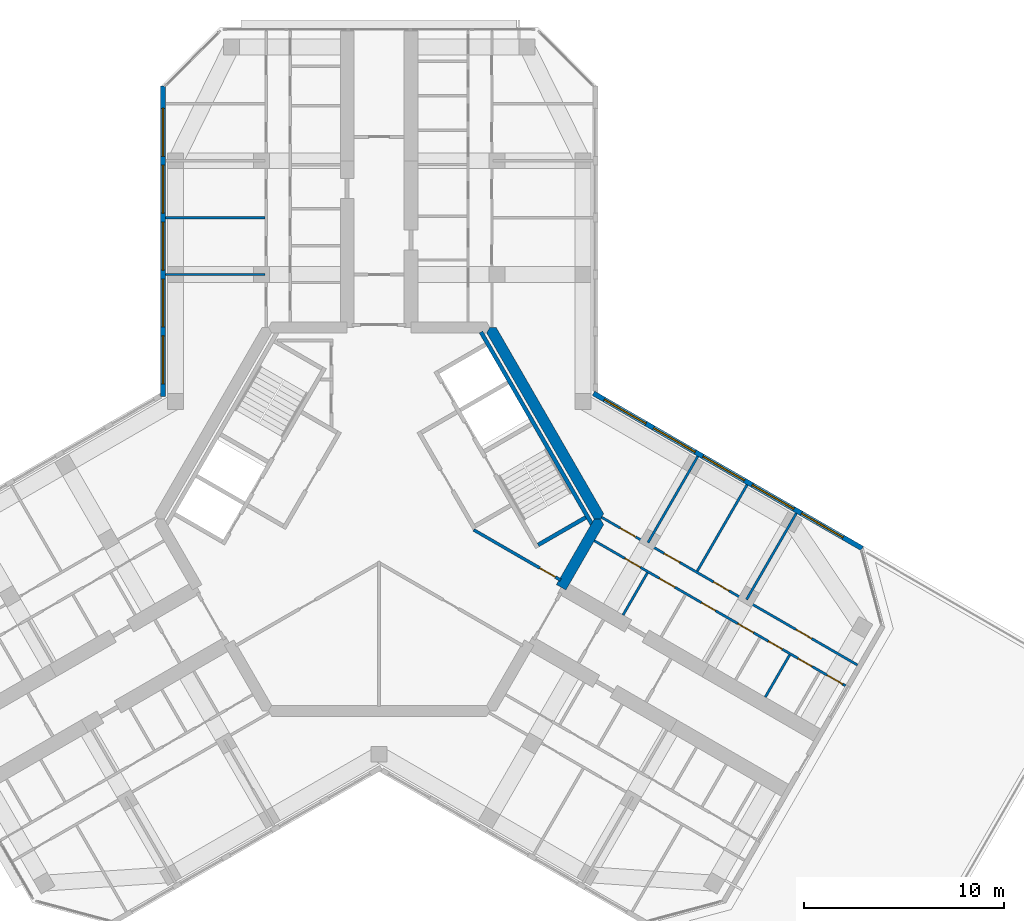
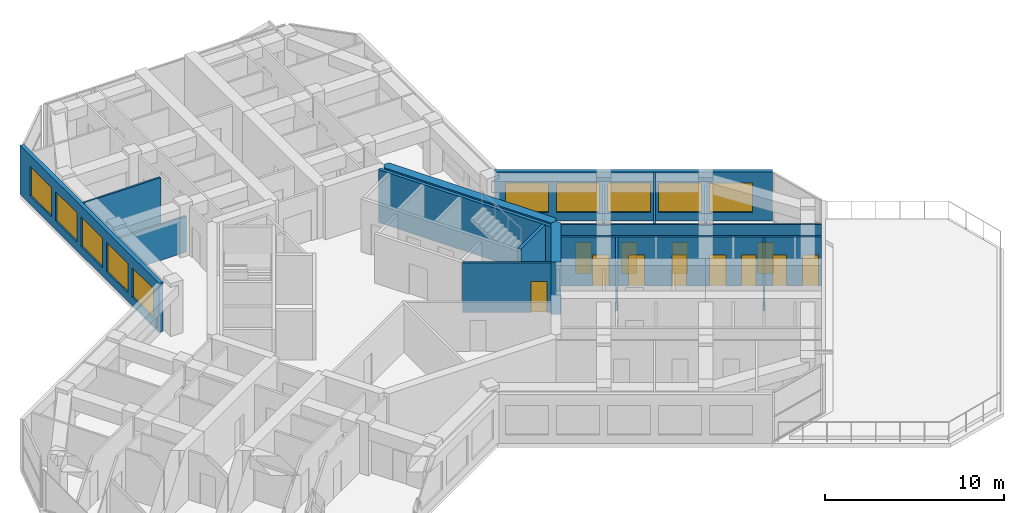
# One storey, part 11 of 14: 16 walls, 12 doors, 10 windows, 22 openings.
"""IFC4 building model written with IfcOpenShell, lengths in metres."""

import ifcopenshell
import ifcopenshell.guid

model = None  # the IFC model being written
_history = None  # IfcOwnerHistory: only IFC2X3 demands one
_inside = {}  # id of a spatial element -> (the spatial element, [elements in it])
_under = {}  # id of a project, library or spatial element -> (it, [spatial elements below it])
_declared = {}  # id of a project -> (the project, [libraries it declares])
_typed = {}  # id of a type object -> (the type object, [elements of that type])
_made_of = {}  # id of a material, layer set ... -> (it, [elements and type objects made of it])


def new_model(schema):
    """Start an empty IFC model of exactly this schema.

    Asked for "IFC4X3", IfcOpenShell would pick the latest addendum, in which some entities
    have other attributes; the version numbers below select the first issue.
    IFC2X3 requires an IfcOwnerHistory on every rooted entity: one is made here for all.
    """
    global model, _history
    if schema == "IFC4X3":
        model = ifcopenshell.file(schema_version=(4, 3, 0, 0))
    else:
        model = ifcopenshell.file(schema=schema)
    _inside.clear()
    _under.clear()
    _declared.clear()
    _typed.clear()
    _made_of.clear()
    _history = None
    if model.schema == "IFC2X3":
        org = make("IfcOrganization", Name="unknown")
        user = make(
            "IfcPersonAndOrganization",
            ThePerson=make("IfcPerson", FamilyName="unknown"),
            TheOrganization=org,
        )
        app = make(
            "IfcApplication",
            ApplicationDeveloper=org,
            Version="unknown",
            ApplicationFullName="unknown",
            ApplicationIdentifier="unknown",
        )
        _history = make(
            "IfcOwnerHistory",
            OwningUser=user,
            OwningApplication=app,
            ChangeAction="ADDED",
            CreationDate=0,
        )
    return model


def make(cls, **values):
    """One entity of the class cls with the attributes given. An attribute that is None is left unset."""
    return model.create_entity(
        cls, **{name: value for name, value in values.items() if value is not None}
    )


def rooted(cls, **values):
    """An entity with a GlobalId (a new one), such as an element, a storey or a relation."""
    return make(cls, GlobalId=ifcopenshell.guid.new(), OwnerHistory=_history, **values)


def si_unit(unit_type, name, prefix=None):
    """IfcSIUnit, for example si_unit("LENGTHUNIT", "METRE", prefix="MILLI")."""
    return make("IfcSIUnit", UnitType=unit_type, Prefix=prefix, Name=name)


def assignment(units):
    """IfcUnitAssignment: the units of a project."""
    return None if units is None else make("IfcUnitAssignment", Units=units)


def point(xyz):
    """IfcCartesianPoint."""
    return None if xyz is None else make("IfcCartesianPoint", Coordinates=xyz)


def direction(xyz):
    """IfcDirection."""
    return None if xyz is None else make("IfcDirection", DirectionRatios=xyz)


def frame(location, z_axis=None, x_axis=None):
    """IfcAxis2Placement3D, a coordinate frame: its origin and axes. An axis left out is left unset."""
    return make(
        "IfcAxis2Placement3D",
        Location=point(location),
        Axis=direction(z_axis),
        RefDirection=direction(x_axis),
    )


def frame_2d(location, x_axis=None):
    """IfcAxis2Placement2D, a coordinate frame in the plane: its origin and x axis."""
    return make(
        "IfcAxis2Placement2D", Location=point(location), RefDirection=direction(x_axis)
    )


def origin():
    """The frame at (0, 0, 0) with its axes left unset."""
    return frame((0.0, 0.0, 0.0))


def place(relative_to, where):
    """IfcLocalPlacement: puts the frame where relative to a parent placement (None: the world)."""
    return make(
        "IfcLocalPlacement", PlacementRelTo=relative_to, RelativePlacement=where
    )


def context(
    kind, dimensions, precision=None, world=None, true_north=None, identifier=None
):
    """IfcGeometricRepresentationContext, for example the 3D "Model" context."""
    return make(
        "IfcGeometricRepresentationContext",
        ContextIdentifier=identifier,
        ContextType=kind,
        CoordinateSpaceDimension=dimensions,
        Precision=precision,
        WorldCoordinateSystem=world,
        TrueNorth=true_north,
    )


def subcontext(parent, identifier, kind, view, scale=None):
    """IfcGeometricRepresentationSubContext, for example "Body" below "Model"."""
    return make(
        "IfcGeometricRepresentationSubContext",
        ContextIdentifier=identifier,
        ContextType=kind,
        ParentContext=parent,
        TargetScale=scale,
        TargetView=view,
    )


def project(units=None, contexts=None):
    """IfcProject with its units and contexts."""
    return rooted(
        "IfcProject",
        Name="project",
        RepresentationContexts=contexts,
        UnitsInContext=assignment(units),
    )


def spatial(cls, under=None, at=None, **own):
    """A site, building, storey or space (cls), placed at a placement, below another one or the project."""
    s = rooted(cls, ObjectPlacement=at, **own)
    if under is not None:
        _under.setdefault(under.id(), (under, []))[1].append(s)
    return s


def polyline(points):
    """IfcPolyline through the points."""
    return make("IfcPolyline", Points=[point(p) for p in points])


def profile(cls, at=None, kind="AREA", **sizes):
    """A parametric profile (cls). Its sizes go by their IFC names, for example OverallWidth=200.0."""
    return make(cls, ProfileType=kind, Position=at, **sizes)


def rectangle(**sizes):
    """IfcRectangleProfileDef."""
    return profile("IfcRectangleProfileDef", **sizes)


def outline(outer, holes=None, kind="AREA"):
    """IfcArbitraryClosedProfileDef: a profile drawn as a closed curve; with holes, ...WithVoids."""
    if holes is None:
        return make("IfcArbitraryClosedProfileDef", ProfileType=kind, OuterCurve=outer)
    return make(
        "IfcArbitraryProfileDefWithVoids",
        ProfileType=kind,
        OuterCurve=outer,
        InnerCurves=holes,
    )


def extrude(swept, where, along, depth):
    """IfcExtrudedAreaSolid: the profile swept, set in the frame where, extruded along a direction by depth."""
    return make(
        "IfcExtrudedAreaSolid",
        SweptArea=swept,
        Position=where,
        ExtrudedDirection=direction(along),
        Depth=depth,
    )


def shape(context_of_items, identifier, shape_type, items):
    """IfcShapeRepresentation: the items that make up one representation, for example the "Body"."""
    return make(
        "IfcShapeRepresentation",
        ContextOfItems=context_of_items,
        RepresentationIdentifier=identifier,
        RepresentationType=shape_type,
        Items=items,
    )


def material(Name=None, Category=None):
    """IfcMaterial."""
    return make("IfcMaterial", Name=Name, Category=Category)


def layer(
    of_material, thickness, ventilated=None, Name=None, Category=None, Priority=None
):
    """IfcMaterialLayer: one layer of a wall or slab, of a material (None: an air gap)."""
    return make(
        "IfcMaterialLayer",
        Material=of_material,
        LayerThickness=thickness,
        IsVentilated=ventilated,
        Name=Name,
        Category=Category,
        Priority=Priority,
    )


def layer_set(layers, Name=None):
    """IfcMaterialLayerSet."""
    return make("IfcMaterialLayerSet", MaterialLayers=layers, LayerSetName=Name)


def made_of(thing, what):
    """Note that an element or type object is made of a material, layer set ...; save() writes the relation."""
    if what is not None:
        _made_of.setdefault(what.id(), (what, []))[1].append(thing)
    return thing


def type_object(cls, material=None, **own):
    """A type object (cls), such as IfcWallType, which elements share."""
    return made_of(rooted(cls, **own), material)


def element(
    cls,
    number,
    at=None,
    inside=None,
    cuts=None,
    type_object=None,
    material=None,
    context=None,
    identifier="Body",
    shape_type=None,
    held_by="IfcProductDefinitionShape",
    body=None,
    shapes=None,
    **own,
):
    """One element of the class cls, such as IfcWall. Its Tag is "e" and its number.

    at: its placement. inside: the storey or other place that contains it. cuts: it is an
    opening in that element (IfcRelVoidsElement). A single representation is given by context,
    identifier, shape_type and body (its items); several are given by shapes. held_by: the class
    of the entity that holds the representations. save() writes the other relations.
    """
    e = rooted(cls, Tag="e%d" % number, ObjectPlacement=at, **own)
    if body is not None:
        shapes = [shape(context, identifier, shape_type, body)]
    if shapes is not None:
        e.Representation = make(held_by, Representations=shapes)
    if inside is not None:
        _inside.setdefault(inside.id(), (inside, []))[1].append(e)
    if cuts is not None:
        rooted(
            "IfcRelVoidsElement", RelatingBuildingElement=cuts, RelatedOpeningElement=e
        )
    if type_object is not None:
        _typed.setdefault(type_object.id(), (type_object, []))[1].append(e)
    return made_of(e, material)


def fill(opening, filler):
    """IfcRelFillsElement: the door or window that sits in an opening."""
    return rooted(
        "IfcRelFillsElement",
        RelatingOpeningElement=opening,
        RelatedBuildingElement=filler,
    )


def aggregate(whole, parts):
    """IfcRelAggregates: a whole, such as a stair, and the parts it consists of."""
    return rooted("IfcRelAggregates", RelatingObject=whole, RelatedObjects=parts)


def save(model, path):
    """Write the relations noted so far, then the file.

    IfcRelAggregates (storeys below a building ...), IfcRelContainedInSpatialStructure (elements
    in a storey), IfcRelDefinesByType, IfcRelAssociatesMaterial and IfcRelDeclares: one each for
    every whole, place, type object, material and project.
    """
    for whole, parts in _under.values():
        aggregate(whole, parts)
    for where, things in _inside.values():
        rooted(
            "IfcRelContainedInSpatialStructure",
            RelatedElements=things,
            RelatingStructure=where,
        )
    for kind, things in _typed.values():
        rooted("IfcRelDefinesByType", RelatedObjects=things, RelatingType=kind)
    for what, things in _made_of.values():
        rooted("IfcRelAssociatesMaterial", RelatedObjects=things, RelatingMaterial=what)
    for by, libraries in _declared.values():
        rooted("IfcRelDeclares", RelatingContext=by, RelatedDefinitions=libraries)
    model.write(path)


model = new_model("IFC4")

# Units and contexts
model_context = context("Model", 3, precision=1e-05, world=origin(), true_north=direction((0.0, 1.0)))
body_context = subcontext(model_context, "Body", "Model", "MODEL_VIEW")
ifc_project = project(units=[si_unit("LENGTHUNIT", "METRE"), si_unit("AREAUNIT", "SQUARE_METRE"), si_unit("VOLUMEUNIT", "CUBIC_METRE"), si_unit("PLANEANGLEUNIT", "RADIAN"), si_unit("MASSUNIT", "GRAM", prefix="KILO")], contexts=[model_context])

# Site, building, storey
site_placement = place(None, origin())
site = spatial("IfcSite", under=ifc_project, at=site_placement, CompositionType="ELEMENT")
building_placement = place(site_placement, origin())
building = spatial("IfcBuilding", under=site, at=building_placement, Name="Kosmar Iwan School Tower", CompositionType="ELEMENT")
storey_placement = place(building_placement, frame((0.0, 0.0, 267.39990234375)))
storey = spatial("IfcBuildingStorey", under=building, at=storey_placement, Name="L67", CompositionType="ELEMENT", Elevation=267.39990234375)

# Wall, opening, door
ifc_material_1 = material(Name="Gypsum board on steel studs, fire-rated", Category="steel")
ifc_layer_1 = layer(ifc_material_1, 0.14990234375)
ifc_layer_set_1 = layer_set([ifc_layer_1], Name="Core room partition 150")
wall_type_1 = type_object("IfcWallType", Name="Core room partition 150", PredefinedType="PARTITIONING", material=ifc_layer_set_1)
wall_1_placement = place(storey_placement, frame((9.08642578125, -3.052001953125, 0.0), z_axis=(0.0, 0.0, 1.0), x_axis=(-0.866027799164, 0.499995851058, 0.0)))
wall_1 = element("IfcWall", 1, at=wall_1_placement, inside=storey, type_object=wall_type_1, Name="Core room partition L67-CW8", PredefinedType="PARTITIONING", context=body_context, shape_type="SweptSolid", body=[
    extrude(rectangle(XDim=5.0244140625, YDim=0.14990234375, at=frame_2d((2.51220703125, 0.0))), origin(), (0.0, 0.0, 1.0), 3.35009765625),
])
opening_1_placement = place(wall_1_placement, frame((0.304931640625, 0.0, 0.0)))
opening_1 = element("IfcOpeningElement", 2, at=opening_1_placement, cuts=wall_1, Name="Opening D14", PredefinedType="OPENING", context=body_context, shape_type="SweptSolid", body=[
    extrude(rectangle(XDim=0.89990234375, YDim=2.10009765625, at=frame_2d((0.449951171875, 1.050048828125))), frame((0.0, 0.0869140625, 0.0), z_axis=(0.0, -1.0, 0.0), x_axis=(1.0, 0.0, 0.0)), (0.0, 0.0, 1.0), 0.173828125),
])
ifc_material_2 = material(Name="Timber fire door in steel frame", Category="steel")
door_type_1 = type_object("IfcDoorType", Name="Core room door 900x2100", OperationType="SINGLE_SWING_LEFT", PredefinedType="DOOR", material=ifc_material_2)
door_1_placement = place(opening_1_placement, origin())
door_1 = element("IfcDoor", 3, at=door_1_placement, inside=storey, type_object=door_type_1, Name="Linen store door L67 5", OperationType="SINGLE_SWING_LEFT", OverallHeight=2.10009765625, OverallWidth=0.89990234375, PredefinedType="DOOR", context=body_context, shape_type="SweptSolid", body=[
    extrude(rectangle(XDim=0.89990234375, YDim=2.10009765625, at=frame_2d((0.449951171875, 1.050048828125))), frame((0.0, 0.02490234375, 0.0), z_axis=(0.0, -1.0, 0.0), x_axis=(1.0, 0.0, 0.0)), (0.0, 0.0, 1.0), 0.050048828125),
])
fill(opening_1, door_1)

# Walls
ifc_material_3 = material(Name="Concrete C50/60", Category="concrete")
ifc_layer_2 = layer(ifc_material_3, 0.550048828125)
ifc_layer_set_2 = layer_set([ifc_layer_2], Name="Core wall 550")
wall_type_2 = type_object("IfcWallType", Name="Core wall 550", PredefinedType="SHEAR", material=ifc_layer_set_2)
wall_2_placement = place(storey_placement, origin())
element("IfcWall", 4, at=wall_2_placement, inside=storey, type_object=wall_type_2, Name="Core wall F030", PredefinedType="SHEAR", context=body_context, shape_type="SweptSolid", body=[
    extrude(outline(polyline([(10.767578125, 0.0), (11.085205078125, 0.0), (11.243896484375, 0.27490234375), (5.860107421875, 9.60009765625), (5.54248046875, 9.60009765625), (5.3837890625, 9.324951171875), (10.767578125, 0.0)])), origin(), (0.0, 0.0, 1.0), 3.60009765625),
])
wall_3_placement = place(storey_placement, origin())
element("IfcWall", 5, at=wall_3_placement, inside=storey, type_object=wall_type_2, Name="Core wall F330b", PredefinedType="SHEAR", context=body_context, shape_type="SweptSolid", body=[
    extrude(outline(polyline([(9.35205078125, -3.5517578125), (11.243896484375, -0.27490234375), (11.085205078125, 0.0), (10.767578125, 0.0), (8.875732421875, -3.27685546875), (9.35205078125, -3.5517578125)])), origin(), (0.0, 0.0, 1.0), 3.60009765625),
])
ifc_material_4 = material(Name="Gypsum board on steel studs", Category="steel")
ifc_layer_3 = layer(ifc_material_4, 0.1201171875)
ifc_layer_set_3 = layer_set([ifc_layer_3], Name="Dwelling partition 120")
wall_type_3 = type_object("IfcWallType", Name="Dwelling partition 120", PredefinedType="PARTITIONING", material=ifc_layer_set_3)
wall_4_placement = place(storey_placement, frame((-5.7099609375, 12.25, 0.0), z_axis=(0.0, 0.0, 1.0), x_axis=(-1.0, 0.0, 0.0)))
element("IfcWall", 6, at=wall_4_placement, inside=storey, type_object=wall_type_3, Name="Partition L67-AL1-X1", PredefinedType="PARTITIONING", context=body_context, shape_type="SweptSolid", body=[
    extrude(rectangle(XDim=4.989990234375, YDim=0.1201171875, at=frame_2d((2.4951171875, 0.0))), origin(), (0.0, 0.0, 1.0), 2.4501953125),
])
wall_5_placement = place(storey_placement, frame((-5.7099609375, 15.10009765625, 0.0), z_axis=(0.0, 0.0, 1.0), x_axis=(-1.0, 0.0, 0.0)))
element("IfcWall", 7, at=wall_5_placement, inside=storey, type_object=wall_type_3, Name="Partition L67-AL1-X2", PredefinedType="PARTITIONING", context=body_context, shape_type="SweptSolid", body=[
    extrude(rectangle(XDim=4.989990234375, YDim=0.1201171875, at=frame_2d((2.4951171875, 0.0))), origin(), (0.0, 0.0, 1.0), 3.35009765625),
])

# Wall, openings, doors
wall_6_placement = place(storey_placement, frame((10.777099609375, -1.083740234375, 0.0), z_axis=(0.0, 0.0, 1.0), x_axis=(0.866024078546, -0.500002295373, 0.0)))
wall_6 = element("IfcWall", 8, at=wall_6_placement, inside=storey, type_object=wall_type_3, Name="Partition L67-CL1-W1", PredefinedType="PARTITIONING", context=body_context, shape_type="SweptSolid", body=[
    extrude(rectangle(XDim=14.52490234375, YDim=0.1201171875, at=frame_2d((7.262451171875, 0.0))), origin(), (0.0, 0.0, 1.0), 3.35009765625),
])
opening_2_placement = place(wall_6_placement, frame((1.764892578125, 0.0, 0.0)))
opening_2 = element("IfcOpeningElement", 9, at=opening_2_placement, cuts=wall_6, Name="Opening D2", PredefinedType="OPENING", context=body_context, shape_type="SweptSolid", body=[
    extrude(rectangle(XDim=0.89990234375, YDim=2.10009765625, at=frame_2d((0.449951171875, 1.050048828125))), frame((0.0, 0.072021484375, 0.0), z_axis=(0.0, -1.0, 0.0), x_axis=(1.0, 0.0, 0.0)), (0.0, 0.0, 1.0), 0.14404296875),
])
opening_3_placement = place(wall_6_placement, frame((3.755126953125, 0.0, 0.0)))
opening_3 = element("IfcOpeningElement", 10, at=opening_3_placement, cuts=wall_6, Name="Opening D2", PredefinedType="OPENING", context=body_context, shape_type="SweptSolid", body=[
    extrude(rectangle(XDim=0.89990234375, YDim=2.10009765625, at=frame_2d((0.449951171875, 1.050048828125))), frame((0.0, 0.072021484375, 0.0), z_axis=(0.0, -1.0, 0.0), x_axis=(1.0, 0.0, 0.0)), (0.0, 0.0, 1.0), 0.14404296875),
])
opening_4_placement = place(wall_6_placement, frame((6.1962890625, 0.0, 0.0)))
opening_4 = element("IfcOpeningElement", 11, at=opening_4_placement, cuts=wall_6, Name="Opening D3", PredefinedType="OPENING", context=body_context, shape_type="SweptSolid", body=[
    extrude(rectangle(XDim=0.800048828125, YDim=2.10009765625, at=frame_2d((0.39990234375, 1.050048828125))), frame((0.0, 0.072021484375, 0.0), z_axis=(0.0, -1.0, 0.0), x_axis=(1.0, 0.0, 0.0)), (0.0, 0.0, 1.0), 0.14404296875),
])
opening_5_placement = place(wall_6_placement, frame((8.298583984375, 0.0, 0.0)))
opening_5 = element("IfcOpeningElement", 12, at=opening_5_placement, cuts=wall_6, Name="Opening D2", PredefinedType="OPENING", context=body_context, shape_type="SweptSolid", body=[
    extrude(rectangle(XDim=0.89990234375, YDim=2.10009765625, at=frame_2d((0.449951171875, 1.050048828125))), frame((0.0, 0.072021484375, 0.0), z_axis=(0.0, -1.0, 0.0), x_axis=(1.0, 0.0, 0.0)), (0.0, 0.0, 1.0), 0.14404296875),
])
opening_6_placement = place(wall_6_placement, frame((10.070556640625, 0.0, 0.0)))
opening_6 = element("IfcOpeningElement", 13, at=opening_6_placement, cuts=wall_6, Name="Opening D3", PredefinedType="OPENING", context=body_context, shape_type="SweptSolid", body=[
    extrude(rectangle(XDim=0.800048828125, YDim=2.10009765625, at=frame_2d((0.39990234375, 1.050048828125))), frame((0.0, 0.072021484375, 0.0), z_axis=(0.0, -1.0, 0.0), x_axis=(1.0, 0.0, 0.0)), (0.0, 0.0, 1.0), 0.14404296875),
])
opening_7_placement = place(wall_6_placement, frame((11.792236328125, 0.0, 0.0)))
opening_7 = element("IfcOpeningElement", 14, at=opening_7_placement, cuts=wall_6, Name="Opening D3", PredefinedType="OPENING", context=body_context, shape_type="SweptSolid", body=[
    extrude(rectangle(XDim=0.800048828125, YDim=2.10009765625, at=frame_2d((0.39990234375, 1.050048828125))), frame((0.0, 0.072021484375, 0.0), z_axis=(0.0, -1.0, 0.0), x_axis=(1.0, 0.0, 0.0)), (0.0, 0.0, 1.0), 0.14404296875),
])
opening_8_placement = place(wall_6_placement, frame((13.464111328125, 0.0, 0.0)))
opening_8 = element("IfcOpeningElement", 15, at=opening_8_placement, cuts=wall_6, Name="Opening D2", PredefinedType="OPENING", context=body_context, shape_type="SweptSolid", body=[
    extrude(rectangle(XDim=0.89990234375, YDim=2.10009765625, at=frame_2d((0.449951171875, 1.050048828125))), frame((0.0, 0.072021484375, 0.0), z_axis=(0.0, -1.0, 0.0), x_axis=(1.0, 0.0, 0.0)), (0.0, 0.0, 1.0), 0.14404296875),
])
ifc_material_5 = material(Name="Timber door in timber frame", Category="wood")
door_type_2 = type_object("IfcDoorType", Name="Internal door 900x2100", OperationType="SINGLE_SWING_LEFT", PredefinedType="DOOR", material=ifc_material_5)
door_2_placement = place(opening_2_placement, origin())
door_2 = element("IfcDoor", 16, at=door_2_placement, inside=storey, type_object=door_type_2, Name="Utility room door L67-CL1-S1", OperationType="SINGLE_SWING_LEFT", OverallHeight=2.10009765625, OverallWidth=0.89990234375, PredefinedType="DOOR", context=body_context, shape_type="SweptSolid", body=[
    extrude(rectangle(XDim=0.89990234375, YDim=2.10009765625, at=frame_2d((0.449951171875, 1.050048828125))), frame((0.0, 0.02490234375, 0.0), z_axis=(0.0, -1.0, 0.0), x_axis=(1.0, 0.0, 0.0)), (0.0, 0.0, 1.0), 0.050048828125),
])
fill(opening_2, door_2)
door_3_placement = place(opening_3_placement, origin())
door_3 = element("IfcDoor", 17, at=door_3_placement, inside=storey, type_object=door_type_2, Name="Entrance hall door L67-CL1-S2", OperationType="SINGLE_SWING_LEFT", OverallHeight=2.10009765625, OverallWidth=0.89990234375, PredefinedType="DOOR", context=body_context, shape_type="SweptSolid", body=[
    extrude(rectangle(XDim=0.89990234375, YDim=2.10009765625, at=frame_2d((0.449951171875, 1.050048828125))), frame((0.0, 0.02490234375, 0.0), z_axis=(0.0, -1.0, 0.0), x_axis=(1.0, 0.0, 0.0)), (0.0, 0.0, 1.0), 0.050048828125),
])
fill(opening_3, door_3)
door_4_placement = place(opening_5_placement, origin())
door_4 = element("IfcDoor", 18, at=door_4_placement, inside=storey, type_object=door_type_2, Name="Pantry door L67-CL1-S4", OperationType="SINGLE_SWING_RIGHT", OverallHeight=2.10009765625, OverallWidth=0.89990234375, PredefinedType="DOOR", context=body_context, shape_type="SweptSolid", body=[
    extrude(rectangle(XDim=0.89990234375, YDim=2.10009765625, at=frame_2d((0.449951171875, 1.050048828125))), frame((0.0, 0.02490234375, 0.0), z_axis=(0.0, -1.0, 0.0), x_axis=(1.0, 0.0, 0.0)), (0.0, 0.0, 1.0), 0.050048828125),
])
fill(opening_5, door_4)
door_5_placement = place(opening_8_placement, origin())
door_5 = element("IfcDoor", 19, at=door_5_placement, inside=storey, type_object=door_type_2, Name="Dressing room door L67-CL1-S7", OperationType="SINGLE_SWING_RIGHT", OverallHeight=2.10009765625, OverallWidth=0.89990234375, PredefinedType="DOOR", context=body_context, shape_type="SweptSolid", body=[
    extrude(rectangle(XDim=0.89990234375, YDim=2.10009765625, at=frame_2d((0.449951171875, 1.050048828125))), frame((0.0, 0.02490234375, 0.0), z_axis=(0.0, -1.0, 0.0), x_axis=(1.0, 0.0, 0.0)), (0.0, 0.0, 1.0), 0.050048828125),
])
fill(opening_8, door_5)
ifc_material_6 = material(Name="Timber door in timber frame", Category="wood")
door_type_3 = type_object("IfcDoorType", Name="Sanitary room door 800x2100", OperationType="SINGLE_SWING_LEFT", PredefinedType="DOOR", material=ifc_material_6)
door_6_placement = place(opening_4_placement, origin())
door_6 = element("IfcDoor", 20, at=door_6_placement, inside=storey, type_object=door_type_3, Name="Bathroom door L67-CL1-S3", OperationType="SINGLE_SWING_LEFT", OverallHeight=2.10009765625, OverallWidth=0.800048828125, PredefinedType="DOOR", context=body_context, shape_type="SweptSolid", body=[
    extrude(rectangle(XDim=0.800048828125, YDim=2.10009765625, at=frame_2d((0.39990234375, 1.050048828125))), frame((0.0, 0.02490234375, 0.0), z_axis=(0.0, -1.0, 0.0), x_axis=(1.0, 0.0, 0.0)), (0.0, 0.0, 1.0), 0.050048828125),
])
fill(opening_4, door_6)
door_7_placement = place(opening_6_placement, origin())
door_7 = element("IfcDoor", 21, at=door_7_placement, inside=storey, type_object=door_type_3, Name="WC door L67-CL1-S5", OperationType="SINGLE_SWING_RIGHT", OverallHeight=2.10009765625, OverallWidth=0.800048828125, PredefinedType="DOOR", context=body_context, shape_type="SweptSolid", body=[
    extrude(rectangle(XDim=0.800048828125, YDim=2.10009765625, at=frame_2d((0.39990234375, 1.050048828125))), frame((0.0, 0.02490234375, 0.0), z_axis=(0.0, -1.0, 0.0), x_axis=(1.0, 0.0, 0.0)), (0.0, 0.0, 1.0), 0.050048828125),
])
fill(opening_6, door_7)
door_8_placement = place(opening_7_placement, origin())
door_8 = element("IfcDoor", 22, at=door_8_placement, inside=storey, type_object=door_type_3, Name="Store door L67-CL1-S6", OperationType="SINGLE_SWING_RIGHT", OverallHeight=2.10009765625, OverallWidth=0.800048828125, PredefinedType="DOOR", context=body_context, shape_type="SweptSolid", body=[
    extrude(rectangle(XDim=0.800048828125, YDim=2.10009765625, at=frame_2d((0.39990234375, 1.050048828125))), frame((0.0, 0.02490234375, 0.0), z_axis=(0.0, -1.0, 0.0), x_axis=(1.0, 0.0, 0.0)), (0.0, 0.0, 1.0), 0.050048828125),
])
fill(opening_7, door_8)

wall_7_placement = place(storey_placement, frame((11.138916015625, 0.093017578125, 0.0), z_axis=(0.0, 0.0, 1.0), x_axis=(0.86602763084, -0.499996142607, 0.0)))
wall_7 = element("IfcWall", 23, at=wall_7_placement, inside=storey, type_object=wall_type_3, Name="Partition L67-CL1-W2", PredefinedType="PARTITIONING", context=body_context, shape_type="SweptSolid", body=[
    extrude(rectangle(XDim=14.7998046875, YDim=0.1201171875, at=frame_2d((7.39990234375, 0.0))), origin(), (0.0, 0.0, 1.0), 3.35009765625),
])
opening_9_placement = place(wall_7_placement, frame((1.074951171875, 0.0, 0.0)))
opening_9 = element("IfcOpeningElement", 24, at=opening_9_placement, cuts=wall_7, Name="Opening D2", PredefinedType="OPENING", context=body_context, shape_type="SweptSolid", body=[
    extrude(rectangle(XDim=0.89990234375, YDim=2.10009765625, at=frame_2d((0.449951171875, 1.050048828125))), frame((0.0, 0.072021484375, 0.0), z_axis=(0.0, -1.0, 0.0), x_axis=(1.0, 0.0, 0.0)), (0.0, 0.0, 1.0), 0.14404296875),
])
opening_10_placement = place(wall_7_placement, frame((3.625, 0.0, 0.0)))
opening_10 = element("IfcOpeningElement", 25, at=opening_10_placement, cuts=wall_7, Name="Opening D2", PredefinedType="OPENING", context=body_context, shape_type="SweptSolid", body=[
    extrude(rectangle(XDim=0.89990234375, YDim=2.10009765625, at=frame_2d((0.449951171875, 1.050048828125))), frame((0.0, 0.072021484375, 0.0), z_axis=(0.0, -1.0, 0.0), x_axis=(1.0, 0.0, 0.0)), (0.0, 0.0, 1.0), 0.14404296875),
])
opening_11_placement = place(wall_7_placement, frame((6.47509765625, 0.0, 0.0)))
opening_11 = element("IfcOpeningElement", 26, at=opening_11_placement, cuts=wall_7, Name="Opening D2", PredefinedType="OPENING", context=body_context, shape_type="SweptSolid", body=[
    extrude(rectangle(XDim=0.89990234375, YDim=2.10009765625, at=frame_2d((0.449951171875, 1.050048828125))), frame((0.0, 0.072021484375, 0.0), z_axis=(0.0, -1.0, 0.0), x_axis=(1.0, 0.0, 0.0)), (0.0, 0.0, 1.0), 0.14404296875),
])
opening_12_placement = place(wall_7_placement, frame((11.25, 0.0, 0.0)))
opening_12 = element("IfcOpeningElement", 27, at=opening_12_placement, cuts=wall_7, Name="Opening D2", PredefinedType="OPENING", context=body_context, shape_type="SweptSolid", body=[
    extrude(rectangle(XDim=0.89990234375, YDim=2.10009765625, at=frame_2d((0.449951171875, 1.050048828125))), frame((0.0, 0.072021484375, 0.0), z_axis=(0.0, -1.0, 0.0), x_axis=(1.0, 0.0, 0.0)), (0.0, 0.0, 1.0), 0.14404296875),
])
door_9_placement = place(opening_9_placement, origin())
door_9 = element("IfcDoor", 28, at=door_9_placement, inside=storey, type_object=door_type_2, Name="Bedroom 1 door L67-CL1-F1", OperationType="SINGLE_SWING_RIGHT", OverallHeight=2.10009765625, OverallWidth=0.89990234375, PredefinedType="DOOR", context=body_context, shape_type="SweptSolid", body=[
    extrude(rectangle(XDim=0.89990234375, YDim=2.10009765625, at=frame_2d((0.449951171875, 1.050048828125))), frame((0.0, 0.02490234375, 0.0), z_axis=(0.0, -1.0, 0.0), x_axis=(1.0, 0.0, 0.0)), (0.0, 0.0, 1.0), 0.050048828125),
])
fill(opening_9, door_9)
door_10_placement = place(opening_10_placement, origin())
door_10 = element("IfcDoor", 29, at=door_10_placement, inside=storey, type_object=door_type_2, Name="Study door L67-CL1-F2", OperationType="SINGLE_SWING_LEFT", OverallHeight=2.10009765625, OverallWidth=0.89990234375, PredefinedType="DOOR", context=body_context, shape_type="SweptSolid", body=[
    extrude(rectangle(XDim=0.89990234375, YDim=2.10009765625, at=frame_2d((0.449951171875, 1.050048828125))), frame((0.0, 0.02490234375, 0.0), z_axis=(0.0, -1.0, 0.0), x_axis=(1.0, 0.0, 0.0)), (0.0, 0.0, 1.0), 0.050048828125),
])
fill(opening_10, door_10)
door_11_placement = place(opening_11_placement, origin())
door_11 = element("IfcDoor", 30, at=door_11_placement, inside=storey, type_object=door_type_2, Name="Kitchen and dining room door L67-CL1-F3", OperationType="SINGLE_SWING_RIGHT", OverallHeight=2.10009765625, OverallWidth=0.89990234375, PredefinedType="DOOR", context=body_context, shape_type="SweptSolid", body=[
    extrude(rectangle(XDim=0.89990234375, YDim=2.10009765625, at=frame_2d((0.449951171875, 1.050048828125))), frame((0.0, 0.02490234375, 0.0), z_axis=(0.0, -1.0, 0.0), x_axis=(1.0, 0.0, 0.0)), (0.0, 0.0, 1.0), 0.050048828125),
])
fill(opening_11, door_11)
door_12_placement = place(opening_12_placement, origin())
door_12 = element("IfcDoor", 31, at=door_12_placement, inside=storey, type_object=door_type_2, Name="Living room door L67-CL1-F4", OperationType="SINGLE_SWING_RIGHT", OverallHeight=2.10009765625, OverallWidth=0.89990234375, PredefinedType="DOOR", context=body_context, shape_type="SweptSolid", body=[
    extrude(rectangle(XDim=0.89990234375, YDim=2.10009765625, at=frame_2d((0.449951171875, 1.050048828125))), frame((0.0, 0.02490234375, 0.0), z_axis=(0.0, -1.0, 0.0), x_axis=(1.0, 0.0, 0.0)), (0.0, 0.0, 1.0), 0.050048828125),
])
fill(opening_12, door_12)

# Walls
wall_8_placement = place(storey_placement, frame((13.4638671875, -1.179931640625, 0.0), z_axis=(0.0, 0.0, 1.0), x_axis=(0.499975153383, 0.86603974851, 0.0)))
element("IfcWall", 32, at=wall_8_placement, inside=storey, type_object=wall_type_3, Name="Partition L67-CL1-X1", PredefinedType="PARTITIONING", context=body_context, shape_type="SweptSolid", body=[
    extrude(rectangle(XDim=4.989990234375, YDim=0.1201171875, at=frame_2d((2.4951171875, 0.0))), origin(), (0.0, 0.0, 1.0), 2.4501953125),
])
wall_9_placement = place(storey_placement, frame((15.931884765625, -2.60498046875, 0.0), z_axis=(0.0, 0.0, 1.0), x_axis=(0.500011847778, 0.866018563358, 0.0)))
element("IfcWall", 33, at=wall_9_placement, inside=storey, type_object=wall_type_3, Name="Partition L67-CL1-X2", PredefinedType="PARTITIONING", context=body_context, shape_type="SweptSolid", body=[
    extrude(rectangle(XDim=4.990234375, YDim=0.1201171875, at=frame_2d((2.4951171875, 0.0))), origin(), (0.0, 0.0, 1.0), 3.35009765625),
])
wall_10_placement = place(storey_placement, frame((18.400146484375, -4.030029296875, 0.0), z_axis=(0.0, 0.0, 1.0), x_axis=(0.500011847778, 0.866018563358, 0.0)))
element("IfcWall", 34, at=wall_10_placement, inside=storey, type_object=wall_type_3, Name="Partition L67-CL1-X3", PredefinedType="PARTITIONING", context=body_context, shape_type="SweptSolid", body=[
    extrude(rectangle(XDim=4.990234375, YDim=0.1201171875, at=frame_2d((2.4951171875, 0.0))), origin(), (0.0, 0.0, 1.0), 2.4501953125),
])
wall_11_placement = place(storey_placement, frame((12.216064453125, -4.80126953125, 0.0), z_axis=(0.0, 0.0, 1.0), x_axis=(0.500002508028, 0.866023955769, 0.0)))
element("IfcWall", 35, at=wall_11_placement, inside=storey, type_object=wall_type_3, Name="Partition L67-CL1-Y1", PredefinedType="PARTITIONING", context=body_context, shape_type="SweptSolid", body=[
    extrude(rectangle(XDim=2.43994140625, YDim=0.1201171875, at=frame_2d((1.219970703125, 0.0))), origin(), (0.0, 0.0, 1.0), 3.35009765625),
])
wall_12_placement = place(storey_placement, frame((19.34033203125, -8.91455078125, 0.0), z_axis=(0.0, 0.0, 1.0), x_axis=(0.499959183527, 0.866048967903, 0.0)))
element("IfcWall", 36, at=wall_12_placement, inside=storey, type_object=wall_type_3, Name="Partition L67-CL1-Y5", PredefinedType="PARTITIONING", context=body_context, shape_type="SweptSolid", body=[
    extrude(rectangle(XDim=2.440185546875, YDim=0.1201171875, at=frame_2d((1.22021484375, 0.0))), origin(), (0.0, 0.0, 1.0), 3.35009765625),
])

# Wall, openings, windows
ifc_material_7 = material(Name="Black aluminium rainscreen on insulated framing", Category="aluminium")
ifc_layer_4 = layer(ifc_material_7, 0.25)
ifc_layer_set_4 = layer_set([ifc_layer_4], Name="External wall rainscreen 250")
wall_type_4 = type_object("IfcWallType", Name="External wall rainscreen 250", PredefinedType="SOLIDWALL", material=ifc_layer_set_4)
wall_13_placement = place(storey_placement, frame((10.73681640625, 6.30078125, 0.0), z_axis=(0.0, 0.0, 1.0), x_axis=(0.866023091024, -0.500004005797, 0.0)))
wall_13 = element("IfcWall", 37, at=wall_13_placement, inside=storey, type_object=wall_type_4, Name="External wall CL L67", PredefinedType="SOLIDWALL", context=body_context, shape_type="SweptSolid", body=[
    extrude(rectangle(XDim=15.537353515625, YDim=0.25, at=frame_2d((7.7685546875, 0.0))), origin(), (0.0, 0.0, 1.0), 3.35009765625),
])
opening_13_placement = place(wall_13_placement, frame((0.626953125, 0.0, 0.60009765625)))
opening_13 = element("IfcOpeningElement", 38, at=opening_13_placement, cuts=wall_13, Name="Opening W6", PredefinedType="OPENING", context=body_context, shape_type="SweptSolid", body=[
    extrude(rectangle(XDim=2.39990234375, YDim=2.0, at=frame_2d((1.199951171875, 1.0))), frame((0.0, 0.136962890625, 0.0), z_axis=(0.0, -1.0, 0.0), x_axis=(1.0, 0.0, 0.0)), (0.0, 0.0, 1.0), 0.27392578125),
])
opening_14_placement = place(wall_13_placement, frame((3.47705078125, 0.0, 0.60009765625)))
opening_14 = element("IfcOpeningElement", 39, at=opening_14_placement, cuts=wall_13, Name="Opening W6", PredefinedType="OPENING", context=body_context, shape_type="SweptSolid", body=[
    extrude(rectangle(XDim=2.39990234375, YDim=2.0, at=frame_2d((1.199951171875, 1.0))), frame((0.0, 0.136962890625, 0.0), z_axis=(0.0, -1.0, 0.0), x_axis=(1.0, 0.0, 0.0)), (0.0, 0.0, 1.0), 0.27392578125),
])
opening_15_placement = place(wall_13_placement, frame((6.326904296875, 0.0, 0.60009765625)))
opening_15 = element("IfcOpeningElement", 40, at=opening_15_placement, cuts=wall_13, Name="Opening W6", PredefinedType="OPENING", context=body_context, shape_type="SweptSolid", body=[
    extrude(rectangle(XDim=2.39990234375, YDim=2.0, at=frame_2d((1.199951171875, 1.0))), frame((0.0, 0.136962890625, 0.0), z_axis=(0.0, -1.0, 0.0), x_axis=(1.0, 0.0, 0.0)), (0.0, 0.0, 1.0), 0.27392578125),
])
opening_16_placement = place(wall_13_placement, frame((9.177001953125, 0.0, 0.60009765625)))
opening_16 = element("IfcOpeningElement", 41, at=opening_16_placement, cuts=wall_13, Name="Opening W6", PredefinedType="OPENING", context=body_context, shape_type="SweptSolid", body=[
    extrude(rectangle(XDim=2.39990234375, YDim=2.0, at=frame_2d((1.199951171875, 1.0))), frame((0.0, 0.136962890625, 0.0), z_axis=(0.0, -1.0, 0.0), x_axis=(1.0, 0.0, 0.0)), (0.0, 0.0, 1.0), 0.27392578125),
])
opening_17_placement = place(wall_13_placement, frame((12.027099609375, 0.0, 0.60009765625)))
opening_17 = element("IfcOpeningElement", 42, at=opening_17_placement, cuts=wall_13, Name="Opening W6", PredefinedType="OPENING", context=body_context, shape_type="SweptSolid", body=[
    extrude(rectangle(XDim=2.39990234375, YDim=2.0, at=frame_2d((1.199951171875, 1.0))), frame((0.0, 0.136962890625, 0.0), z_axis=(0.0, -1.0, 0.0), x_axis=(1.0, 0.0, 0.0)), (0.0, 0.0, 1.0), 0.27392578125),
])
ifc_material_8 = material(Name="Black aluminium frame with dark triple glazing", Category="aluminium")
window_type = type_object("IfcWindowType", Name="Window 2400x2000", PartitioningType="SINGLE_PANEL", PredefinedType="WINDOW", material=ifc_material_8)
window_1_placement = place(opening_13_placement, origin())
window_1 = element("IfcWindow", 43, at=window_1_placement, inside=storey, type_object=window_type, Name="Window CL L67 -1", OverallHeight=2.0, OverallWidth=2.39990234375, PartitioningType="SINGLE_PANEL", PredefinedType="WINDOW", context=body_context, shape_type="SweptSolid", body=[
    extrude(rectangle(XDim=2.39990234375, YDim=2.0, at=frame_2d((1.199951171875, 1.0))), frame((0.0, 0.030029296875, 0.0), z_axis=(0.0, -1.0, 0.0), x_axis=(1.0, 0.0, 0.0)), (0.0, 0.0, 1.0), 0.06005859375),
])
fill(opening_13, window_1)
window_2_placement = place(opening_14_placement, origin())
window_2 = element("IfcWindow", 44, at=window_2_placement, inside=storey, type_object=window_type, Name="Window CL L67 0", OverallHeight=2.0, OverallWidth=2.39990234375, PartitioningType="SINGLE_PANEL", PredefinedType="WINDOW", context=body_context, shape_type="SweptSolid", body=[
    extrude(rectangle(XDim=2.39990234375, YDim=2.0, at=frame_2d((1.199951171875, 1.0))), frame((0.0, 0.030029296875, 0.0), z_axis=(0.0, -1.0, 0.0), x_axis=(1.0, 0.0, 0.0)), (0.0, 0.0, 1.0), 0.06005859375),
])
fill(opening_14, window_2)
window_3_placement = place(opening_15_placement, origin())
window_3 = element("IfcWindow", 45, at=window_3_placement, inside=storey, type_object=window_type, Name="Window CL L67 1", OverallHeight=2.0, OverallWidth=2.39990234375, PartitioningType="SINGLE_PANEL", PredefinedType="WINDOW", context=body_context, shape_type="SweptSolid", body=[
    extrude(rectangle(XDim=2.39990234375, YDim=2.0, at=frame_2d((1.199951171875, 1.0))), frame((0.0, 0.030029296875, 0.0), z_axis=(0.0, -1.0, 0.0), x_axis=(1.0, 0.0, 0.0)), (0.0, 0.0, 1.0), 0.06005859375),
])
fill(opening_15, window_3)
window_4_placement = place(opening_16_placement, origin())
window_4 = element("IfcWindow", 46, at=window_4_placement, inside=storey, type_object=window_type, Name="Window CL L67 2", OverallHeight=2.0, OverallWidth=2.39990234375, PartitioningType="SINGLE_PANEL", PredefinedType="WINDOW", context=body_context, shape_type="SweptSolid", body=[
    extrude(rectangle(XDim=2.39990234375, YDim=2.0, at=frame_2d((1.199951171875, 1.0))), frame((0.0, 0.030029296875, 0.0), z_axis=(0.0, -1.0, 0.0), x_axis=(1.0, 0.0, 0.0)), (0.0, 0.0, 1.0), 0.06005859375),
])
fill(opening_16, window_4)
window_5_placement = place(opening_17_placement, origin())
window_5 = element("IfcWindow", 47, at=window_5_placement, inside=storey, type_object=window_type, Name="Window CL L67 3", OverallHeight=2.0, OverallWidth=2.39990234375, PartitioningType="SINGLE_PANEL", PredefinedType="WINDOW", context=body_context, shape_type="SweptSolid", body=[
    extrude(rectangle(XDim=2.39990234375, YDim=2.0, at=frame_2d((1.199951171875, 1.0))), frame((0.0, 0.030029296875, 0.0), z_axis=(0.0, -1.0, 0.0), x_axis=(1.0, 0.0, 0.0)), (0.0, 0.0, 1.0), 0.06005859375),
])
fill(opening_17, window_5)

wall_14_placement = place(storey_placement, frame((-10.824951171875, 6.14794921875, 0.0), z_axis=(0.0, 0.0, 1.0), x_axis=(0.0, 1.0, 0.0)))
wall_14 = element("IfcWall", 48, at=wall_14_placement, inside=storey, type_object=wall_type_4, Name="External wall AL L67", PredefinedType="SOLIDWALL", context=body_context, shape_type="SweptSolid", body=[
    extrude(rectangle(XDim=15.537353515625, YDim=0.25, at=frame_2d((7.7685546875, 0.0))), origin(), (0.0, 0.0, 1.0), 3.35009765625),
])
opening_18_placement = place(wall_14_placement, frame((0.626953125, 0.0, 0.60009765625)))
opening_18 = element("IfcOpeningElement", 49, at=opening_18_placement, cuts=wall_14, Name="Opening W6", PredefinedType="OPENING", context=body_context, shape_type="SweptSolid", body=[
    extrude(rectangle(XDim=2.39990234375, YDim=2.0, at=frame_2d((1.199951171875, 1.0))), frame((0.0, 0.136962890625, 0.0), z_axis=(0.0, -1.0, 0.0), x_axis=(1.0, 0.0, 0.0)), (0.0, 0.0, 1.0), 0.27392578125),
])
opening_19_placement = place(wall_14_placement, frame((3.47705078125, 0.0, 0.60009765625)))
opening_19 = element("IfcOpeningElement", 50, at=opening_19_placement, cuts=wall_14, Name="Opening W6", PredefinedType="OPENING", context=body_context, shape_type="SweptSolid", body=[
    extrude(rectangle(XDim=2.39990234375, YDim=2.0, at=frame_2d((1.199951171875, 1.0))), frame((0.0, 0.136962890625, 0.0), z_axis=(0.0, -1.0, 0.0), x_axis=(1.0, 0.0, 0.0)), (0.0, 0.0, 1.0), 0.27392578125),
])
opening_20_placement = place(wall_14_placement, frame((6.326904296875, 0.0, 0.60009765625)))
opening_20 = element("IfcOpeningElement", 51, at=opening_20_placement, cuts=wall_14, Name="Opening W6", PredefinedType="OPENING", context=body_context, shape_type="SweptSolid", body=[
    extrude(rectangle(XDim=2.39990234375, YDim=2.0, at=frame_2d((1.199951171875, 1.0))), frame((0.0, 0.136962890625, 0.0), z_axis=(0.0, -1.0, 0.0), x_axis=(1.0, 0.0, 0.0)), (0.0, 0.0, 1.0), 0.27392578125),
])
opening_21_placement = place(wall_14_placement, frame((9.177001953125, 0.0, 0.60009765625)))
opening_21 = element("IfcOpeningElement", 52, at=opening_21_placement, cuts=wall_14, Name="Opening W6", PredefinedType="OPENING", context=body_context, shape_type="SweptSolid", body=[
    extrude(rectangle(XDim=2.39990234375, YDim=2.0, at=frame_2d((1.199951171875, 1.0))), frame((0.0, 0.136962890625, 0.0), z_axis=(0.0, -1.0, 0.0), x_axis=(1.0, 0.0, 0.0)), (0.0, 0.0, 1.0), 0.27392578125),
])
opening_22_placement = place(wall_14_placement, frame((12.027099609375, 0.0, 0.60009765625)))
opening_22 = element("IfcOpeningElement", 53, at=opening_22_placement, cuts=wall_14, Name="Opening W6", PredefinedType="OPENING", context=body_context, shape_type="SweptSolid", body=[
    extrude(rectangle(XDim=2.39990234375, YDim=2.0, at=frame_2d((1.199951171875, 1.0))), frame((0.0, 0.136962890625, 0.0), z_axis=(0.0, -1.0, 0.0), x_axis=(1.0, 0.0, 0.0)), (0.0, 0.0, 1.0), 0.27392578125),
])
window_6_placement = place(opening_18_placement, origin())
window_6 = element("IfcWindow", 54, at=window_6_placement, inside=storey, type_object=window_type, Name="Window AL L67 -1", OverallHeight=2.0, OverallWidth=2.39990234375, PartitioningType="SINGLE_PANEL", PredefinedType="WINDOW", context=body_context, shape_type="SweptSolid", body=[
    extrude(rectangle(XDim=2.39990234375, YDim=2.0, at=frame_2d((1.199951171875, 1.0))), frame((0.0, 0.030029296875, 0.0), z_axis=(0.0, -1.0, 0.0), x_axis=(1.0, 0.0, 0.0)), (0.0, 0.0, 1.0), 0.06005859375),
])
fill(opening_18, window_6)
window_7_placement = place(opening_19_placement, origin())
window_7 = element("IfcWindow", 55, at=window_7_placement, inside=storey, type_object=window_type, Name="Window AL L67 0", OverallHeight=2.0, OverallWidth=2.39990234375, PartitioningType="SINGLE_PANEL", PredefinedType="WINDOW", context=body_context, shape_type="SweptSolid", body=[
    extrude(rectangle(XDim=2.39990234375, YDim=2.0, at=frame_2d((1.199951171875, 1.0))), frame((0.0, 0.030029296875, 0.0), z_axis=(0.0, -1.0, 0.0), x_axis=(1.0, 0.0, 0.0)), (0.0, 0.0, 1.0), 0.06005859375),
])
fill(opening_19, window_7)
window_8_placement = place(opening_20_placement, origin())
window_8 = element("IfcWindow", 56, at=window_8_placement, inside=storey, type_object=window_type, Name="Window AL L67 1", OverallHeight=2.0, OverallWidth=2.39990234375, PartitioningType="SINGLE_PANEL", PredefinedType="WINDOW", context=body_context, shape_type="SweptSolid", body=[
    extrude(rectangle(XDim=2.39990234375, YDim=2.0, at=frame_2d((1.199951171875, 1.0))), frame((0.0, 0.030029296875, 0.0), z_axis=(0.0, -1.0, 0.0), x_axis=(1.0, 0.0, 0.0)), (0.0, 0.0, 1.0), 0.06005859375),
])
fill(opening_20, window_8)
window_9_placement = place(opening_21_placement, origin())
window_9 = element("IfcWindow", 57, at=window_9_placement, inside=storey, type_object=window_type, Name="Window AL L67 2", OverallHeight=2.0, OverallWidth=2.39990234375, PartitioningType="SINGLE_PANEL", PredefinedType="WINDOW", context=body_context, shape_type="SweptSolid", body=[
    extrude(rectangle(XDim=2.39990234375, YDim=2.0, at=frame_2d((1.199951171875, 1.0))), frame((0.0, 0.030029296875, 0.0), z_axis=(0.0, -1.0, 0.0), x_axis=(1.0, 0.0, 0.0)), (0.0, 0.0, 1.0), 0.06005859375),
])
fill(opening_21, window_9)
window_10_placement = place(opening_22_placement, origin())
window_10 = element("IfcWindow", 58, at=window_10_placement, inside=storey, type_object=window_type, Name="Window AL L67 3", OverallHeight=2.0, OverallWidth=2.39990234375, PartitioningType="SINGLE_PANEL", PredefinedType="WINDOW", context=body_context, shape_type="SweptSolid", body=[
    extrude(rectangle(XDim=2.39990234375, YDim=2.0, at=frame_2d((1.199951171875, 1.0))), frame((0.0, 0.030029296875, 0.0), z_axis=(0.0, -1.0, 0.0), x_axis=(1.0, 0.0, 0.0)), (0.0, 0.0, 1.0), 0.06005859375),
])
fill(opening_22, window_10)

# Walls
ifc_material_9 = material(Name="Concrete C50/60", Category="concrete")
ifc_layer_5 = layer(ifc_material_9, 0.199951171875)
ifc_layer_set_5 = layer_set([ifc_layer_5], Name="Lift shaft wall 200")
wall_type_5 = type_object("IfcWallType", Name="Lift shaft wall 200", PredefinedType="SHEAR", material=ifc_layer_set_5)
wall_15_placement = place(storey_placement, frame((10.66650390625, -0.27490234375, 0.0), z_axis=(0.0, 0.0, 1.0), x_axis=(-0.499994302092, 0.866028693448, 0.0)))
element("IfcWall", 59, at=wall_15_placement, inside=storey, type_object=wall_type_5, Name="Lift and stair back wall AC", PredefinedType="SHEAR", context=body_context, shape_type="SweptSolid", body=[
    extrude(rectangle(XDim=11.142822265625, YDim=0.199951171875, at=frame_2d((5.5712890625, 0.0))), origin(), (0.0, 0.0, 1.0), 3.60009765625),
])
ifc_material_10 = material(Name="Concrete C50/60", Category="concrete")
ifc_layer_6 = layer(ifc_material_10, 0.199951171875)
ifc_layer_set_6 = layer_set([ifc_layer_6], Name="Stair enclosure wall 200")
wall_type_6 = type_object("IfcWallType", Name="Stair enclosure wall 200", PredefinedType="SHEAR", material=ifc_layer_set_6)
wall_16_placement = place(storey_placement, frame((7.962646484375, -1.291748046875, 0.0), z_axis=(0.0, 0.0, 1.0), x_axis=(0.866027397988, 0.499996545922, 0.0)))
element("IfcWall", 60, at=wall_16_placement, inside=storey, type_object=wall_type_6, Name="Stair ST1 wall", PredefinedType="SHEAR", context=body_context, shape_type="SweptSolid", body=[
    extrude(rectangle(XDim=2.75, YDim=0.199951171875, at=frame_2d((1.375, 0.0))), origin(), (0.0, 0.0, 1.0), 3.60009765625),
])

save(model, "model.ifc")
